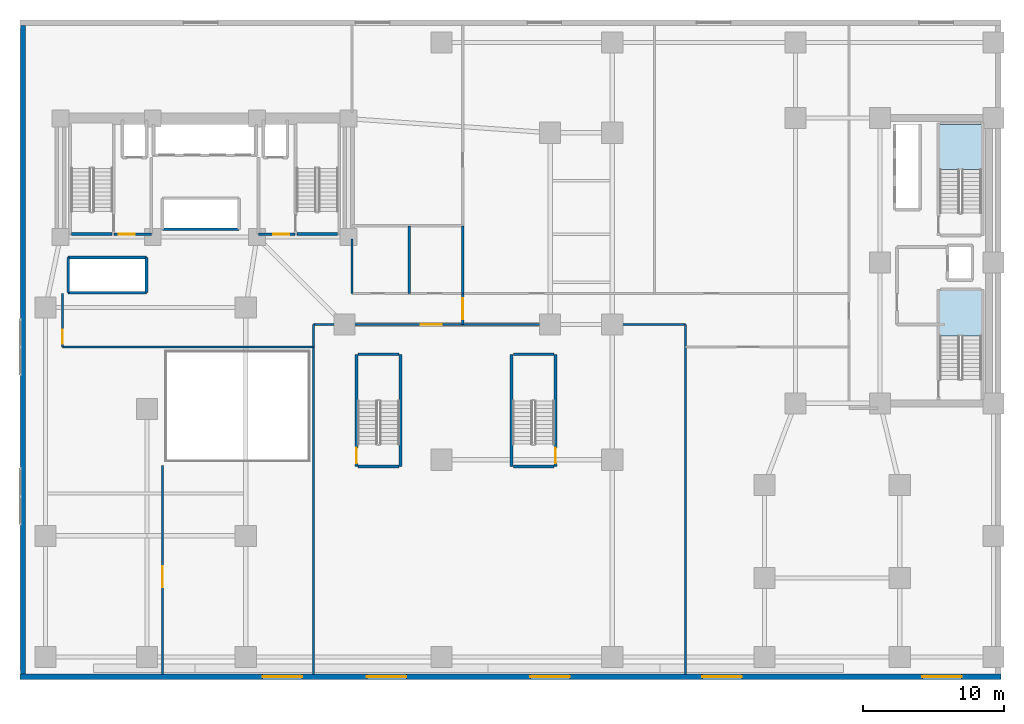
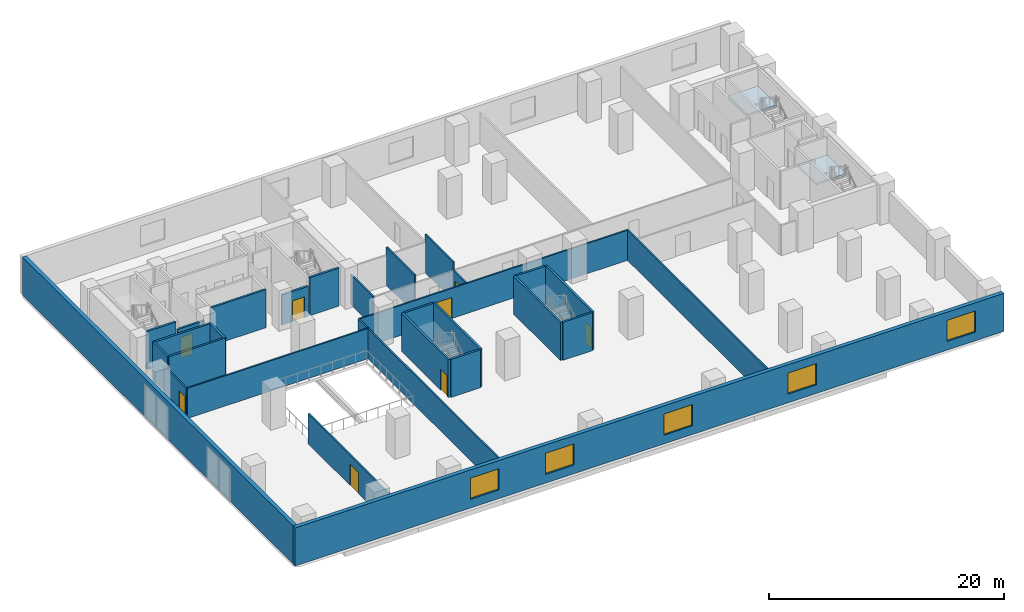
# One storey, part 8 of 14: 29 walls, 8 doors, 5 windows, 2 slabs, 13 openings, 2 elements without a shape of their own.
"""IFC4 building model written with IfcOpenShell, lengths in metres."""

from ifc_helpers import new_model, si_unit, direction, frame, frame_2d, origin, place, context, subcontext, project, spatial, polyline, rectangle, outline, extrude, material, layer, layer_set, type_object, element, fill, aggregate, save


model = new_model("IFC4")

# Units and contexts
model_context = context("Model", 3, precision=1e-05, world=origin(), true_north=direction((0.0, 1.0)))
body_context = subcontext(model_context, "Body", "Model", "MODEL_VIEW")
ifc_project = project(units=[si_unit("LENGTHUNIT", "METRE"), si_unit("AREAUNIT", "SQUARE_METRE"), si_unit("VOLUMEUNIT", "CUBIC_METRE"), si_unit("PLANEANGLEUNIT", "RADIAN"), si_unit("MASSUNIT", "GRAM", prefix="KILO")], contexts=[model_context])

# Site, building, storey
site_placement = place(None, origin())
site = spatial("IfcSite", under=ifc_project, at=site_placement, CompositionType="ELEMENT")
building_placement = place(site_placement, origin())
building = spatial("IfcBuilding", under=site, at=building_placement, Name="Kuzgunbayir Cultural Tower", CompositionType="ELEMENT")
storey_placement = place(building_placement, frame((0.0, 0.0, 8.800048828125)))
storey = spatial("IfcBuildingStorey", under=building, at=storey_placement, Name="L02", CompositionType="ELEMENT", Elevation=8.800048828125)

# Stair, slab
ifc_material_1 = material(Name="Concrete C40/50", Category="concrete")
stair_type = type_object("IfcStairType", Name="STR-EXIT-CORE", PredefinedType="HALF_TURN_STAIR", material=ifc_material_1)
stair_1_placement = place(storey_placement, origin())
stair_1 = element("IfcStair", 1, at=stair_1_placement, inside=storey, type_object=stair_type, Name="L02 ST-3", PredefinedType="HALF_TURN_STAIR")
ifc_layer_1 = layer(ifc_material_1, 0.179931640625)
ifc_layer_set_1 = layer_set([ifc_layer_1], Name="Concrete C40/50")
slab_type = type_object("IfcSlabType", Name="SLB-LANDING-180", PredefinedType="LANDING", material=ifc_layer_set_1)
slab_1_placement = place(storey_placement, frame((0.0, 0.0, 1.89990234375)))
slab_1 = element("IfcSlab", 2, at=slab_1_placement, type_object=slab_type, Name="ST-3 landing 1", PredefinedType="LANDING", context=body_context, shape_type="SweptSolid", body=[
    extrude(outline(polyline([(71.800048828125, 26.780029296875), (71.800048828125, 30.0), (68.840087890625, 30.0), (68.840087890625, 26.780029296875), (71.800048828125, 26.780029296875)])), origin(), (0.0, 0.0, 1.0), 0.199951171875),
])
aggregate(stair_1, [slab_1])

stair_2_placement = place(storey_placement, origin())
stair_2 = element("IfcStair", 3, at=stair_2_placement, inside=storey, type_object=stair_type, Name="L02 ST-4", PredefinedType="HALF_TURN_STAIR")
slab_2_placement = place(storey_placement, frame((0.0, 0.0, 1.89990234375)))
slab_2 = element("IfcSlab", 4, at=slab_2_placement, type_object=slab_type, Name="ST-4 landing 1", PredefinedType="LANDING", context=body_context, shape_type="SweptSolid", body=[
    extrude(outline(polyline([(71.800048828125, 38.580078125), (71.800048828125, 41.800048828125), (68.840087890625, 41.800048828125), (68.840087890625, 38.580078125), (71.800048828125, 38.580078125)])), origin(), (0.0, 0.0, 1.0), 0.199951171875),
])
aggregate(stair_2, [slab_2])

# Wall, openings, windows
ifc_material_2 = material(Name="Anatolian Cream Limestone", Category="masonry")
ifc_layer_2 = layer(ifc_material_2, 0.3798828125)
ifc_layer_set_2 = layer_set([ifc_layer_2], Name="Anatolian Cream Limestone")
wall_type_1 = type_object("IfcWallType", Name="WAL-EXT-STONE-380", PredefinedType="STANDARD", material=ifc_layer_set_2)
wall_1_placement = place(storey_placement, frame((3.60009765625, 2.60009765625, 0.0), z_axis=(0.0, 0.0, 1.0), x_axis=(1.0, 0.0, 0.0)))
wall_1 = element("IfcWall", 5, at=wall_1_placement, inside=storey, type_object=wall_type_1, Name="L02 Podium South Limestone Facade", PredefinedType="STANDARD", context=body_context, shape_type="SweptSolid", body=[
    extrude(rectangle(XDim=69.599853515625, YDim=0.3798828125, at=frame_2d((34.7998046875, 0.0))), origin(), (0.0, 0.0, 1.0), 3.949951171875),
])
opening_1_placement = place(wall_1_placement, frame((17.199951171875, 0.0, 0.89990234375)))
opening_1 = element("IfcOpeningElement", 6, at=opening_1_placement, cuts=wall_1, Name="Opening WG-28", PredefinedType="OPENING", context=body_context, shape_type="SweptSolid", body=[
    extrude(rectangle(XDim=2.800048828125, YDim=2.199951171875, at=frame_2d((1.39990234375, 1.10009765625))), frame((0.0, 0.199951171875, 0.0), z_axis=(0.0, -1.0, 0.0), x_axis=(1.0, 0.0, 0.0)), (0.0, 0.0, 1.0), 0.39990234375),
])
opening_2_placement = place(wall_1_placement, frame((24.60009765625, 0.0, 0.89990234375)))
opening_2 = element("IfcOpeningElement", 7, at=opening_2_placement, cuts=wall_1, Name="Opening WG-28", PredefinedType="OPENING", context=body_context, shape_type="SweptSolid", body=[
    extrude(rectangle(XDim=2.800048828125, YDim=2.199951171875, at=frame_2d((1.39990234375, 1.10009765625))), frame((0.0, 0.199951171875, 0.0), z_axis=(0.0, -1.0, 0.0), x_axis=(1.0, 0.0, 0.0)), (0.0, 0.0, 1.0), 0.39990234375),
])
opening_3_placement = place(wall_1_placement, frame((36.199951171875, 0.0, 0.89990234375)))
opening_3 = element("IfcOpeningElement", 8, at=opening_3_placement, cuts=wall_1, Name="Opening WG-28", PredefinedType="OPENING", context=body_context, shape_type="SweptSolid", body=[
    extrude(rectangle(XDim=2.800048828125, YDim=2.199951171875, at=frame_2d((1.39990234375, 1.10009765625))), frame((0.0, 0.199951171875, 0.0), z_axis=(0.0, -1.0, 0.0), x_axis=(1.0, 0.0, 0.0)), (0.0, 0.0, 1.0), 0.39990234375),
])
opening_4_placement = place(wall_1_placement, frame((48.39990234375, 0.0, 0.89990234375)))
opening_4 = element("IfcOpeningElement", 9, at=opening_4_placement, cuts=wall_1, Name="Opening WG-28", PredefinedType="OPENING", context=body_context, shape_type="SweptSolid", body=[
    extrude(rectangle(XDim=2.800048828125, YDim=2.199951171875, at=frame_2d((1.39990234375, 1.10009765625))), frame((0.0, 0.199951171875, 0.0), z_axis=(0.0, -1.0, 0.0), x_axis=(1.0, 0.0, 0.0)), (0.0, 0.0, 1.0), 0.39990234375),
])
opening_5_placement = place(wall_1_placement, frame((64.0, 0.0, 0.89990234375)))
opening_5 = element("IfcOpeningElement", 10, at=opening_5_placement, cuts=wall_1, Name="Opening WG-28", PredefinedType="OPENING", context=body_context, shape_type="SweptSolid", body=[
    extrude(rectangle(XDim=2.800048828125, YDim=2.199951171875, at=frame_2d((1.39990234375, 1.10009765625))), frame((0.0, 0.199951171875, 0.0), z_axis=(0.0, -1.0, 0.0), x_axis=(1.0, 0.0, 0.0)), (0.0, 0.0, 1.0), 0.39990234375),
])
ifc_material_3 = material(Name="Solar-Control Triple Glazing", Category="glass")
window_type = type_object("IfcWindowType", Name="WIN-GALLERY-28", PartitioningType="SINGLE_PANEL", PredefinedType="WINDOW", material=ifc_material_3)
window_1_placement = place(opening_1_placement, origin())
window_1 = element("IfcWindow", 11, at=window_1_placement, inside=storey, type_object=window_type, Name="L02 Podium South Gallery Window 1", OverallHeight=2.199951171875, OverallWidth=2.800048828125, PartitioningType="SINGLE_PANEL", PredefinedType="WINDOW", context=body_context, shape_type="SweptSolid", body=[
    extrude(rectangle(XDim=2.800048828125, YDim=2.199951171875, at=frame_2d((1.39990234375, 1.10009765625))), frame((0.0, 0.030029296875, 0.0), z_axis=(0.0, -1.0, 0.0), x_axis=(1.0, 0.0, 0.0)), (0.0, 0.0, 1.0), 0.06005859375),
])
fill(opening_1, window_1)
window_2_placement = place(opening_2_placement, origin())
window_2 = element("IfcWindow", 12, at=window_2_placement, inside=storey, type_object=window_type, Name="L02 Podium South Gallery Window 2", OverallHeight=2.199951171875, OverallWidth=2.800048828125, PartitioningType="SINGLE_PANEL", PredefinedType="WINDOW", context=body_context, shape_type="SweptSolid", body=[
    extrude(rectangle(XDim=2.800048828125, YDim=2.199951171875, at=frame_2d((1.39990234375, 1.10009765625))), frame((0.0, 0.030029296875, 0.0), z_axis=(0.0, -1.0, 0.0), x_axis=(1.0, 0.0, 0.0)), (0.0, 0.0, 1.0), 0.06005859375),
])
fill(opening_2, window_2)
window_3_placement = place(opening_3_placement, origin())
window_3 = element("IfcWindow", 13, at=window_3_placement, inside=storey, type_object=window_type, Name="L02 Podium South Gallery Window 3", OverallHeight=2.199951171875, OverallWidth=2.800048828125, PartitioningType="SINGLE_PANEL", PredefinedType="WINDOW", context=body_context, shape_type="SweptSolid", body=[
    extrude(rectangle(XDim=2.800048828125, YDim=2.199951171875, at=frame_2d((1.39990234375, 1.10009765625))), frame((0.0, 0.030029296875, 0.0), z_axis=(0.0, -1.0, 0.0), x_axis=(1.0, 0.0, 0.0)), (0.0, 0.0, 1.0), 0.06005859375),
])
fill(opening_3, window_3)
window_4_placement = place(opening_4_placement, origin())
window_4 = element("IfcWindow", 14, at=window_4_placement, inside=storey, type_object=window_type, Name="L02 Podium South Gallery Window 4", OverallHeight=2.199951171875, OverallWidth=2.800048828125, PartitioningType="SINGLE_PANEL", PredefinedType="WINDOW", context=body_context, shape_type="SweptSolid", body=[
    extrude(rectangle(XDim=2.800048828125, YDim=2.199951171875, at=frame_2d((1.39990234375, 1.10009765625))), frame((0.0, 0.030029296875, 0.0), z_axis=(0.0, -1.0, 0.0), x_axis=(1.0, 0.0, 0.0)), (0.0, 0.0, 1.0), 0.06005859375),
])
fill(opening_4, window_4)
window_5_placement = place(opening_5_placement, origin())
window_5 = element("IfcWindow", 15, at=window_5_placement, inside=storey, type_object=window_type, Name="L02 Podium South Gallery Window 5", OverallHeight=2.199951171875, OverallWidth=2.800048828125, PartitioningType="SINGLE_PANEL", PredefinedType="WINDOW", context=body_context, shape_type="SweptSolid", body=[
    extrude(rectangle(XDim=2.800048828125, YDim=2.199951171875, at=frame_2d((1.39990234375, 1.10009765625))), frame((0.0, 0.030029296875, 0.0), z_axis=(0.0, -1.0, 0.0), x_axis=(1.0, 0.0, 0.0)), (0.0, 0.0, 1.0), 0.06005859375),
])
fill(opening_5, window_5)

# Walls
wall_2_placement = place(storey_placement, frame((3.800048828125, 48.800048828125, 0.0), z_axis=(0.0, 0.0, 1.0), x_axis=(0.0, -1.0, 0.0)))
element("IfcWall", 16, at=wall_2_placement, inside=storey, type_object=wall_type_1, Name="L02 Podium West Civic Limestone Facade", PredefinedType="STANDARD", context=body_context, shape_type="SweptSolid", body=[
    extrude(rectangle(XDim=46.0, YDim=0.3798828125, at=frame_2d((23.0, 0.0))), origin(), (0.0, 0.0, 1.0), 3.949951171875),
])
ifc_material_4 = material(Name="Acoustic Double-Stud Drywall", Category="gypsum")
ifc_layer_3 = layer(ifc_material_4, 0.14990234375)
ifc_layer_set_3 = layer_set([ifc_layer_3], Name="Acoustic Double-Stud Drywall")
wall_type_2 = type_object("IfcWallType", Name="WAL-PART-ACOUSTIC-150", PredefinedType="PARTITIONING", material=ifc_layer_set_3)
wall_3_placement = place(storey_placement, frame((6.60009765625, 26.0, 0.0), z_axis=(0.0, 0.0, 1.0), x_axis=(1.0, 0.0, 0.0)))
element("IfcWall", 17, at=wall_3_placement, inside=storey, type_object=wall_type_2, Name="L02 West Concourse South Wall", PredefinedType="PARTITIONING", context=body_context, shape_type="SweptSolid", body=[
    extrude(rectangle(XDim=17.7998046875, YDim=0.14990234375, at=frame_2d((8.89990234375, 0.0))), origin(), (0.0, 0.0, 1.0), 3.1298828125),
])

# Wall, opening, door
wall_4_placement = place(storey_placement, frame((24.39990234375, 27.60009765625, 0.0), z_axis=(0.0, 0.0, 1.0), x_axis=(1.0, 0.0, 0.0)))
wall_4 = element("IfcWall", 18, at=wall_4_placement, inside=storey, type_object=wall_type_2, Name="L02 Central Concourse South Wall", PredefinedType="PARTITIONING", context=body_context, shape_type="SweptSolid", body=[
    extrude(rectangle(XDim=26.400146484375, YDim=0.14990234375, at=frame_2d((13.2001953125, 0.0))), origin(), (0.0, 0.0, 1.0), 3.1298828125),
])
opening_6_placement = place(wall_4_placement, frame((7.60009765625, 0.0, 0.0)))
opening_6 = element("IfcOpeningElement", 19, at=opening_6_placement, cuts=wall_4, Name="Opening DI-150", PredefinedType="OPENING", context=body_context, shape_type="SweptSolid", body=[
    extrude(rectangle(XDim=1.5, YDim=2.179931640625, at=frame_2d((0.75, 1.08984375))), frame((0.0, 0.0849609375, 0.0), z_axis=(0.0, -1.0, 0.0), x_axis=(1.0, 0.0, 0.0)), (0.0, 0.0, 1.0), 0.169921875),
])
ifc_material_5 = material(Name="Veneered Oak Double Leaf", Category="wood")
door_type_1 = type_object("IfcDoorType", Name="DR-INT-150", OperationType="DOUBLE_DOOR_SINGLE_SWING", PredefinedType="DOOR", material=ifc_material_5)
door_1_placement = place(opening_6_placement, origin())
door_1 = element("IfcDoor", 20, at=door_1_placement, inside=storey, type_object=door_type_1, Name="L02 Central Hall Double Door", OperationType="DOUBLE_DOOR_SINGLE_SWING", OverallHeight=2.179931640625, OverallWidth=1.5, PredefinedType="DOOR", context=body_context, shape_type="SweptSolid", body=[
    extrude(rectangle(XDim=1.5, YDim=2.179931640625, at=frame_2d((0.75, 1.08984375))), frame((0.0, 0.02490234375, 0.0), z_axis=(0.0, -1.0, 0.0), x_axis=(1.0, 0.0, 0.0)), (0.0, 0.0, 1.0), 0.050048828125),
])
fill(opening_6, door_1)

wall_5_placement = place(storey_placement, frame((35.0, 27.60009765625, 0.0), z_axis=(0.0, 0.0, 1.0), x_axis=(0.0, 1.0, 0.0)))
wall_5 = element("IfcWall", 21, at=wall_5_placement, inside=storey, type_object=wall_type_2, Name="L02 Grand Concourse Mid Threshold Wall", PredefinedType="PARTITIONING", context=body_context, shape_type="SweptSolid", body=[
    extrude(rectangle(XDim=2.199951171875, YDim=0.14990234375, at=frame_2d((1.10009765625, 0.0))), origin(), (0.0, 0.0, 1.0), 3.1298828125),
])
opening_7_placement = place(wall_5_placement, frame((0.35009765625, 0.0, 0.0)))
opening_7 = element("IfcOpeningElement", 22, at=opening_7_placement, cuts=wall_5, Name="Opening DI-150", PredefinedType="OPENING", context=body_context, shape_type="SweptSolid", body=[
    extrude(rectangle(XDim=1.5, YDim=2.179931640625, at=frame_2d((0.75, 1.08984375))), frame((0.0, 0.0849609375, 0.0), z_axis=(0.0, -1.0, 0.0), x_axis=(1.0, 0.0, 0.0)), (0.0, 0.0, 1.0), 0.169921875),
])
door_2_placement = place(opening_7_placement, origin())
door_2 = element("IfcDoor", 23, at=door_2_placement, inside=storey, type_object=door_type_1, Name="L02 Grand Concourse Mid Threshold Door", OperationType="DOUBLE_DOOR_SINGLE_SWING", OverallHeight=2.179931640625, OverallWidth=1.5, PredefinedType="DOOR", context=body_context, shape_type="SweptSolid", body=[
    extrude(rectangle(XDim=1.5, YDim=2.179931640625, at=frame_2d((0.75, 1.08984375))), frame((0.0, 0.02490234375, 0.0), z_axis=(0.0, -1.0, 0.0), x_axis=(1.0, 0.0, 0.0)), (0.0, 0.0, 1.0), 0.050048828125),
])
fill(opening_7, door_2)

wall_6_placement = place(storey_placement, frame((6.60009765625, 26.0, 0.0), z_axis=(0.0, 0.0, 1.0), x_axis=(0.0, 1.0, 0.0)))
wall_6 = element("IfcWall", 24, at=wall_6_placement, inside=storey, type_object=wall_type_2, Name="L02 West Foyer Concourse Threshold", PredefinedType="PARTITIONING", context=body_context, shape_type="SweptSolid", body=[
    extrude(rectangle(XDim=3.800048828125, YDim=0.14990234375, at=frame_2d((1.89990234375, 0.0))), origin(), (0.0, 0.0, 1.0), 3.1298828125),
])
opening_8_placement = place(wall_6_placement, frame((0.239990234375, 0.0, 0.0)))
opening_8 = element("IfcOpeningElement", 25, at=opening_8_placement, cuts=wall_6, Name="Opening DI-100", PredefinedType="OPENING", context=body_context, shape_type="SweptSolid", body=[
    extrude(rectangle(XDim=1.0, YDim=2.14990234375, at=frame_2d((0.5, 1.074951171875))), frame((0.0, 0.0849609375, 0.0), z_axis=(0.0, -1.0, 0.0), x_axis=(1.0, 0.0, 0.0)), (0.0, 0.0, 1.0), 0.169921875),
])
ifc_material_6 = material(Name="Veneered Oak Single Leaf", Category="wood")
door_type_2 = type_object("IfcDoorType", Name="DR-INT-100", OperationType="NOTDEFINED", PredefinedType="DOOR", material=ifc_material_6)
door_3_placement = place(opening_8_placement, origin())
door_3 = element("IfcDoor", 26, at=door_3_placement, inside=storey, type_object=door_type_2, Name="L02 West Gallery Threshold Door", OperationType="SINGLE_SWING_LEFT", OverallHeight=2.14990234375, OverallWidth=1.0, PredefinedType="DOOR", context=body_context, shape_type="SweptSolid", body=[
    extrude(rectangle(XDim=1.0, YDim=2.14990234375, at=frame_2d((0.5, 1.074951171875))), frame((0.0, 0.02490234375, 0.0), z_axis=(0.0, -1.0, 0.0), x_axis=(1.0, 0.0, 0.0)), (0.0, 0.0, 1.0), 0.050048828125),
])
fill(opening_8, door_3)

# Walls
for number, where, z_axis, x_axis, name in (
    (27, (24.39990234375, 2.75, 0.0), (0.0, 0.0, 1.0), (0.0, 1.0, 0.0), "L02 West Cultural Hall Divider"),
    (28, (50.800048828125, 2.75, 0.0), (0.0, 0.0, 1.0), (0.0, 1.0, 0.0), "L02 Central Performance Hall Divider"),
):
    element("IfcWall", number, at=place(storey_placement, frame(where, z_axis=z_axis, x_axis=x_axis)), inside=storey, type_object=wall_type_2, Name=name, PredefinedType="PARTITIONING", context=body_context, shape_type="SweptSolid", body=[
        extrude(rectangle(XDim=24.85009765625, YDim=0.14990234375, at=frame_2d((12.425048828125, 0.0))), origin(), (0.0, 0.0, 1.0), 3.1298828125),
    ])

# Wall, opening, door
wall_7_placement = place(storey_placement, frame((13.699951171875, 2.75, 0.0), z_axis=(0.0, 0.0, 1.0), x_axis=(0.0, 1.0, 0.0)))
wall_7 = element("IfcWall", 29, at=wall_7_placement, inside=storey, type_object=wall_type_2, Name="L02 Sculpture Promenade West Wall", PredefinedType="PARTITIONING", context=body_context, shape_type="SweptSolid", body=[
    extrude(rectangle(XDim=14.85009765625, YDim=0.14990234375, at=frame_2d((7.425048828125, 0.0))), origin(), (0.0, 0.0, 1.0), 3.1298828125),
])
opening_9_placement = place(wall_7_placement, frame((6.199951171875, 0.0, 0.0)))
opening_9 = element("IfcOpeningElement", 30, at=opening_9_placement, cuts=wall_7, Name="Opening DI-150", PredefinedType="OPENING", context=body_context, shape_type="SweptSolid", body=[
    extrude(rectangle(XDim=1.5, YDim=2.179931640625, at=frame_2d((0.75, 1.08984375))), frame((0.0, 0.0849609375, 0.0), z_axis=(0.0, -1.0, 0.0), x_axis=(1.0, 0.0, 0.0)), (0.0, 0.0, 1.0), 0.169921875),
])
door_4_placement = place(opening_9_placement, origin())
door_4 = element("IfcDoor", 31, at=door_4_placement, inside=storey, type_object=door_type_1, Name="L02 Sculpture Promenade Archway Door", OperationType="DOUBLE_DOOR_SINGLE_SWING", OverallHeight=2.179931640625, OverallWidth=1.5, PredefinedType="DOOR", context=body_context, shape_type="SweptSolid", body=[
    extrude(rectangle(XDim=1.5, YDim=2.179931640625, at=frame_2d((0.75, 1.08984375))), frame((0.0, 0.02490234375, 0.0), z_axis=(0.0, -1.0, 0.0), x_axis=(1.0, 0.0, 0.0)), (0.0, 0.0, 1.0), 0.050048828125),
])
fill(opening_9, door_4)

ifc_material_7 = material(Name="Aerated Concrete Blockwork", Category="masonry")
ifc_layer_4 = layer(ifc_material_7, 0.199951171875)
ifc_layer_set_4 = layer_set([ifc_layer_4], Name="Aerated Concrete Blockwork")
wall_type_3 = type_object("IfcWallType", Name="WAL-PART-FIRE-200", PredefinedType="PARTITIONING", material=ifc_layer_set_4)
wall_8_placement = place(storey_placement, frame((10.239990234375, 34.0, 0.0), z_axis=(0.0, 0.0, 1.0), x_axis=(1.0, 0.0, 0.0)))
wall_8 = element("IfcWall", 32, at=wall_8_placement, inside=storey, type_object=wall_type_3, Name="L02 FFL-1 Lobby South Fire Wall", PredefinedType="PARTITIONING", context=body_context, shape_type="SweptSolid", body=[
    extrude(rectangle(XDim=2.659912109375, YDim=0.199951171875, at=frame_2d((1.330078125, 0.0))), origin(), (0.0, 0.0, 1.0), 3.1298828125),
])
opening_10_placement = place(wall_8_placement, frame((0.35009765625, 0.0, 0.0)))
opening_10 = element("IfcOpeningElement", 33, at=opening_10_placement, cuts=wall_8, Name="Opening DR-FFL-90", PredefinedType="OPENING", context=body_context, shape_type="SweptSolid", body=[
    extrude(rectangle(XDim=1.14990234375, YDim=2.14990234375, at=frame_2d((0.574951171875, 1.074951171875))), frame((0.0, 0.10986328125, 0.0), z_axis=(0.0, -1.0, 0.0), x_axis=(1.0, 0.0, 0.0)), (0.0, 0.0, 1.0), 0.219970703125),
])
ifc_material_8 = material(Name="Steel S355J2", Category="steel")
door_type_3 = type_object("IfcDoorType", Name="DR-FFL-90", OperationType="NOTDEFINED", PredefinedType="DOOR", material=ifc_material_8)
door_5_placement = place(opening_10_placement, origin())
door_5 = element("IfcDoor", 34, at=door_5_placement, inside=storey, type_object=door_type_3, Name="L02 Firefighting Lobby 1 Door", OperationType="SINGLE_SWING_LEFT", OverallHeight=2.14990234375, OverallWidth=1.14990234375, PredefinedType="DOOR", context=body_context, shape_type="SweptSolid", body=[
    extrude(rectangle(XDim=1.14990234375, YDim=2.14990234375, at=frame_2d((0.574951171875, 1.074951171875))), frame((0.0, 0.02490234375, 0.0), z_axis=(0.0, -1.0, 0.0), x_axis=(1.0, 0.0, 0.0)), (0.0, 0.0, 1.0), 0.050048828125),
])
fill(opening_10, door_5)

wall_9_placement = place(storey_placement, frame((20.5, 34.0, 0.0), z_axis=(0.0, 0.0, 1.0), x_axis=(1.0, 0.0, 0.0)))
wall_9 = element("IfcWall", 35, at=wall_9_placement, inside=storey, type_object=wall_type_3, Name="L02 FFL-2 Lobby South Fire Wall", PredefinedType="PARTITIONING", context=body_context, shape_type="SweptSolid", body=[
    extrude(rectangle(XDim=2.60009765625, YDim=0.199951171875, at=frame_2d((1.300048828125, 0.0))), origin(), (0.0, 0.0, 1.0), 3.1298828125),
])
opening_11_placement = place(wall_9_placement, frame((1.050048828125, 0.0, 0.0)))
opening_11 = element("IfcOpeningElement", 36, at=opening_11_placement, cuts=wall_9, Name="Opening DR-FFL-90", PredefinedType="OPENING", context=body_context, shape_type="SweptSolid", body=[
    extrude(rectangle(XDim=1.14990234375, YDim=2.14990234375, at=frame_2d((0.574951171875, 1.074951171875))), frame((0.0, 0.10986328125, 0.0), z_axis=(0.0, -1.0, 0.0), x_axis=(1.0, 0.0, 0.0)), (0.0, 0.0, 1.0), 0.219970703125),
])
door_6_placement = place(opening_11_placement, origin())
door_6 = element("IfcDoor", 37, at=door_6_placement, inside=storey, type_object=door_type_3, Name="L02 Firefighting Lobby 2 Door", OperationType="SINGLE_SWING_RIGHT", OverallHeight=2.14990234375, OverallWidth=1.14990234375, PredefinedType="DOOR", context=body_context, shape_type="SweptSolid", body=[
    extrude(rectangle(XDim=1.14990234375, YDim=2.14990234375, at=frame_2d((0.574951171875, 1.074951171875))), frame((0.0, 0.02490234375, 0.0), z_axis=(0.0, -1.0, 0.0), x_axis=(1.0, 0.0, 0.0)), (0.0, 0.0, 1.0), 0.050048828125),
])
fill(opening_11, door_6)

# Walls
ifc_material_9 = material(Name="Moisture-Resistant Tile Partition", Category="gypsum")
ifc_layer_5 = layer(ifc_material_9, 0.14990234375)
ifc_layer_set_5 = layer_set([ifc_layer_5], Name="Moisture-Resistant Tile Partition")
wall_type_4 = type_object("IfcWallType", Name="WAL-PART-WET-150", PredefinedType="PARTITIONING", material=ifc_layer_set_5)
wall_10_placement = place(storey_placement, frame((27.14990234375, 29.800048828125, 0.0), z_axis=(0.0, 0.0, 1.0), x_axis=(0.0, 1.0, 0.0)))
element("IfcWall", 38, at=wall_10_placement, inside=storey, type_object=wall_type_4, Name="L02 Core East Partition South", PredefinedType="PARTITIONING", context=body_context, shape_type="SweptSolid", body=[
    extrude(rectangle(XDim=3.849853515625, YDim=0.14990234375, at=frame_2d((1.9248046875, 0.0))), origin(), (0.0, 0.0, 1.0), 3.1298828125),
])
for number, where, z_axis, x_axis, name in (
    (39, (31.199951171875, 29.800048828125, 0.0), (0.0, 0.0, 1.0), (0.0, 1.0, 0.0), "L02 Public WC East Wall"),
    (40, (35.0, 29.800048828125, 0.0), (0.0, 0.0, 1.0), (0.0, 1.0, 0.0), "L02 Accessible WC East Wall"),
):
    element("IfcWall", number, at=place(storey_placement, frame(where, z_axis=z_axis, x_axis=x_axis)), inside=storey, type_object=wall_type_4, Name=name, PredefinedType="PARTITIONING", context=body_context, shape_type="SweptSolid", body=[
        extrude(rectangle(XDim=4.800048828125, YDim=0.14990234375, at=frame_2d((2.39990234375, 0.0))), origin(), (0.0, 0.0, 1.0), 3.949951171875),
    ])
ifc_layer_6 = layer(ifc_material_1, 0.199951171875)
ifc_layer_set_6 = layer_set([ifc_layer_6], Name="Concrete C40/50")
wall_type_5 = type_object("IfcWallType", Name="WAL-SHAFT-200", PredefinedType="MOVABLE", material=ifc_layer_set_6)
for number, where, z_axis, x_axis, name in (
    (41, (7.0, 29.85009765625, 0.0), (0.0, 0.0, 1.0), (1.0, 0.0, 0.0), "L02 High-Rise Lift Shaft South Wall"),
    (42, (7.0, 32.35009765625, 0.0), (0.0, 0.0, 1.0), (1.0, 0.0, 0.0), "L02 High-Rise Lift Shaft North Wall"),
):
    element("IfcWall", number, at=place(storey_placement, frame(where, z_axis=z_axis, x_axis=x_axis)), inside=storey, type_object=wall_type_5, Name=name, PredefinedType="MOVABLE", context=body_context, shape_type="SweptSolid", body=[
        extrude(rectangle(XDim=5.550048828125, YDim=0.199951171875, at=frame_2d((2.77490234375, 0.0))), origin(), (0.0, 0.0, 1.0), 3.949951171875),
    ])
for number, where, z_axis, x_axis, name in (
    (43, (7.0, 29.85009765625, 0.0), (0.0, 0.0, 1.0), (0.0, 1.0, 0.0), "L02 High-Rise Lift Shaft West Wall"),
    (44, (12.550048828125, 29.85009765625, 0.0), (0.0, 0.0, 1.0), (0.0, 1.0, 0.0), "L02 High-Rise Lift Shaft East Wall"),
):
    element("IfcWall", number, at=place(storey_placement, frame(where, z_axis=z_axis, x_axis=x_axis)), inside=storey, type_object=wall_type_5, Name=name, PredefinedType="MOVABLE", context=body_context, shape_type="SweptSolid", body=[
        extrude(rectangle(XDim=2.5, YDim=0.199951171875, at=frame_2d((1.25, 0.0))), origin(), (0.0, 0.0, 1.0), 3.949951171875),
    ])
wall_11_placement = place(storey_placement, frame((13.699951171875, 34.35009765625, 0.0), z_axis=(0.0, 0.0, 1.0), x_axis=(1.0, 0.0, 0.0)))
element("IfcWall", 45, at=wall_11_placement, inside=storey, type_object=wall_type_5, Name="L02 Mid-Rise Lift Front Wall", PredefinedType="MOVABLE", context=body_context, shape_type="SweptSolid", body=[
    extrude(rectangle(XDim=5.420166015625, YDim=0.199951171875, at=frame_2d((2.7099609375, 0.0))), origin(), (0.0, 0.0, 1.0), 3.949951171875),
])
ifc_layer_7 = layer(ifc_material_1, 0.199951171875)
ifc_layer_set_7 = layer_set([ifc_layer_7], Name="Concrete C40/50")
wall_type_6 = type_object("IfcWallType", Name="WAL-STAIR-RC-200", PredefinedType="SHEAR", material=ifc_layer_set_7)
for number, where, z_axis, x_axis, name in (
    (46, (7.239990234375, 34.02001953125, 0.0), (0.0, 0.0, 1.0), (1.0, 0.0, 0.0), "L02 Stair ST-1 South Structural Wall"),
    (47, (23.239990234375, 34.02001953125, 0.0), (0.0, 0.0, 1.0), (1.0, 0.0, 0.0), "L02 Stair ST-2 South Structural Wall"),
):
    element("IfcWall", number, at=place(storey_placement, frame(where, z_axis=z_axis, x_axis=x_axis)), inside=storey, type_object=wall_type_6, Name=name, PredefinedType="SHEAR", context=body_context, shape_type="SweptSolid", body=[
        extrude(rectangle(XDim=2.880126953125, YDim=0.199951171875, at=frame_2d((1.43994140625, 0.0))), origin(), (0.0, 0.0, 1.0), 3.949951171875),
    ])

# Wall, opening, door
wall_12_placement = place(storey_placement, frame((27.4599609375, 17.52001953125, 0.0), z_axis=(0.0, 0.0, 1.0), x_axis=(0.0, 1.0, 0.0)))
wall_12 = element("IfcWall", 48, at=wall_12_placement, inside=storey, type_object=wall_type_6, Name="L02 Stair ST-5 West Structural Wall", PredefinedType="SHEAR", context=body_context, shape_type="SweptSolid", body=[
    extrude(rectangle(XDim=7.9599609375, YDim=0.199951171875, at=frame_2d((3.97998046875, 0.0))), origin(), (0.0, 0.0, 1.0), 3.949951171875),
])
opening_12_placement = place(wall_12_placement, frame((0.219970703125, 0.0, 0.0)))
opening_12 = element("IfcOpeningElement", 49, at=opening_12_placement, cuts=wall_12, Name="Opening DR-STAIR-90", PredefinedType="OPENING", context=body_context, shape_type="SweptSolid", body=[
    extrude(rectangle(XDim=1.10009765625, YDim=2.14990234375, at=frame_2d((0.550048828125, 1.074951171875))), frame((0.0, 0.10986328125, 0.0), z_axis=(0.0, -1.0, 0.0), x_axis=(1.0, 0.0, 0.0)), (0.0, 0.0, 1.0), 0.219970703125),
])
door_type_4 = type_object("IfcDoorType", Name="DR-STAIR-90", OperationType="NOTDEFINED", PredefinedType="DOOR", material=ifc_material_8)
door_7_placement = place(opening_12_placement, origin())
door_7 = element("IfcDoor", 50, at=door_7_placement, inside=storey, type_object=door_type_4, Name="L02 Stair ST-5 Fire Door", OperationType="SINGLE_SWING_LEFT", OverallHeight=2.14990234375, OverallWidth=1.10009765625, PredefinedType="DOOR", context=body_context, shape_type="SweptSolid", body=[
    extrude(rectangle(XDim=1.10009765625, YDim=2.14990234375, at=frame_2d((0.550048828125, 1.074951171875))), frame((0.0, 0.02490234375, 0.0), z_axis=(0.0, -1.0, 0.0), x_axis=(1.0, 0.0, 0.0)), (0.0, 0.0, 1.0), 0.050048828125),
])
fill(opening_12, door_7)

# Walls
wall_13_placement = place(storey_placement, frame((30.580078125, 17.52001953125, 0.0), z_axis=(0.0, 0.0, 1.0), x_axis=(0.0, 1.0, 0.0)))
element("IfcWall", 51, at=wall_13_placement, inside=storey, type_object=wall_type_6, Name="L02 Stair ST-5 East Structural Wall", PredefinedType="SHEAR", context=body_context, shape_type="SweptSolid", body=[
    extrude(rectangle(XDim=7.9599609375, YDim=0.199951171875, at=frame_2d((3.97998046875, 0.0))), origin(), (0.0, 0.0, 1.0), 3.949951171875),
])
for number, where, z_axis, x_axis, name in (
    (52, (27.580078125, 25.47998046875, 0.0), (0.0, 0.0, 1.0), (1.0, 0.0, 0.0), "L02 Stair ST-5 North Structural Wall"),
    (53, (27.580078125, 17.52001953125, 0.0), (0.0, 0.0, 1.0), (1.0, 0.0, 0.0), "L02 Stair ST-5 South Structural Wall"),
):
    element("IfcWall", number, at=place(storey_placement, frame(where, z_axis=z_axis, x_axis=x_axis)), inside=storey, type_object=wall_type_6, Name=name, PredefinedType="SHEAR", context=body_context, shape_type="SweptSolid", body=[
        extrude(rectangle(XDim=2.8798828125, YDim=0.199951171875, at=frame_2d((1.43994140625, 0.0))), origin(), (0.0, 0.0, 1.0), 3.949951171875),
    ])
wall_14_placement = place(storey_placement, frame((38.4599609375, 17.52001953125, 0.0), z_axis=(0.0, 0.0, 1.0), x_axis=(0.0, 1.0, 0.0)))
element("IfcWall", 54, at=wall_14_placement, inside=storey, type_object=wall_type_6, Name="L02 Stair ST-6 West Structural Wall", PredefinedType="SHEAR", context=body_context, shape_type="SweptSolid", body=[
    extrude(rectangle(XDim=7.9599609375, YDim=0.199951171875, at=frame_2d((3.97998046875, 0.0))), origin(), (0.0, 0.0, 1.0), 3.949951171875),
])

# Wall, opening, door
wall_15_placement = place(storey_placement, frame((41.580078125, 17.52001953125, 0.0), z_axis=(0.0, 0.0, 1.0), x_axis=(0.0, 1.0, 0.0)))
wall_15 = element("IfcWall", 55, at=wall_15_placement, inside=storey, type_object=wall_type_6, Name="L02 Stair ST-6 East Structural Wall", PredefinedType="SHEAR", context=body_context, shape_type="SweptSolid", body=[
    extrude(rectangle(XDim=7.9599609375, YDim=0.199951171875, at=frame_2d((3.97998046875, 0.0))), origin(), (0.0, 0.0, 1.0), 3.949951171875),
])
opening_13_placement = place(wall_15_placement, frame((0.219970703125, 0.0, 0.0)))
opening_13 = element("IfcOpeningElement", 56, at=opening_13_placement, cuts=wall_15, Name="Opening DR-STAIR-90", PredefinedType="OPENING", context=body_context, shape_type="SweptSolid", body=[
    extrude(rectangle(XDim=1.10009765625, YDim=2.14990234375, at=frame_2d((0.550048828125, 1.074951171875))), frame((0.0, 0.10986328125, 0.0), z_axis=(0.0, -1.0, 0.0), x_axis=(1.0, 0.0, 0.0)), (0.0, 0.0, 1.0), 0.219970703125),
])
door_8_placement = place(opening_13_placement, origin())
door_8 = element("IfcDoor", 57, at=door_8_placement, inside=storey, type_object=door_type_4, Name="L02 Stair ST-6 Fire Door", OperationType="SINGLE_SWING_LEFT", OverallHeight=2.14990234375, OverallWidth=1.10009765625, PredefinedType="DOOR", context=body_context, shape_type="SweptSolid", body=[
    extrude(rectangle(XDim=1.10009765625, YDim=2.14990234375, at=frame_2d((0.550048828125, 1.074951171875))), frame((0.0, 0.02490234375, 0.0), z_axis=(0.0, -1.0, 0.0), x_axis=(1.0, 0.0, 0.0)), (0.0, 0.0, 1.0), 0.050048828125),
])
fill(opening_13, door_8)

# Walls
for number, where, z_axis, x_axis, name in (
    (58, (38.580078125, 25.47998046875, 0.0), (0.0, 0.0, 1.0), (1.0, 0.0, 0.0), "L02 Stair ST-6 North Structural Wall"),
    (59, (38.580078125, 17.52001953125, 0.0), (0.0, 0.0, 1.0), (1.0, 0.0, 0.0), "L02 Stair ST-6 South Structural Wall"),
):
    element("IfcWall", number, at=place(storey_placement, frame(where, z_axis=z_axis, x_axis=x_axis)), inside=storey, type_object=wall_type_6, Name=name, PredefinedType="SHEAR", context=body_context, shape_type="SweptSolid", body=[
        extrude(rectangle(XDim=2.8798828125, YDim=0.199951171875, at=frame_2d((1.43994140625, 0.0))), origin(), (0.0, 0.0, 1.0), 3.949951171875),
    ])

save(model, "model.ifc")
